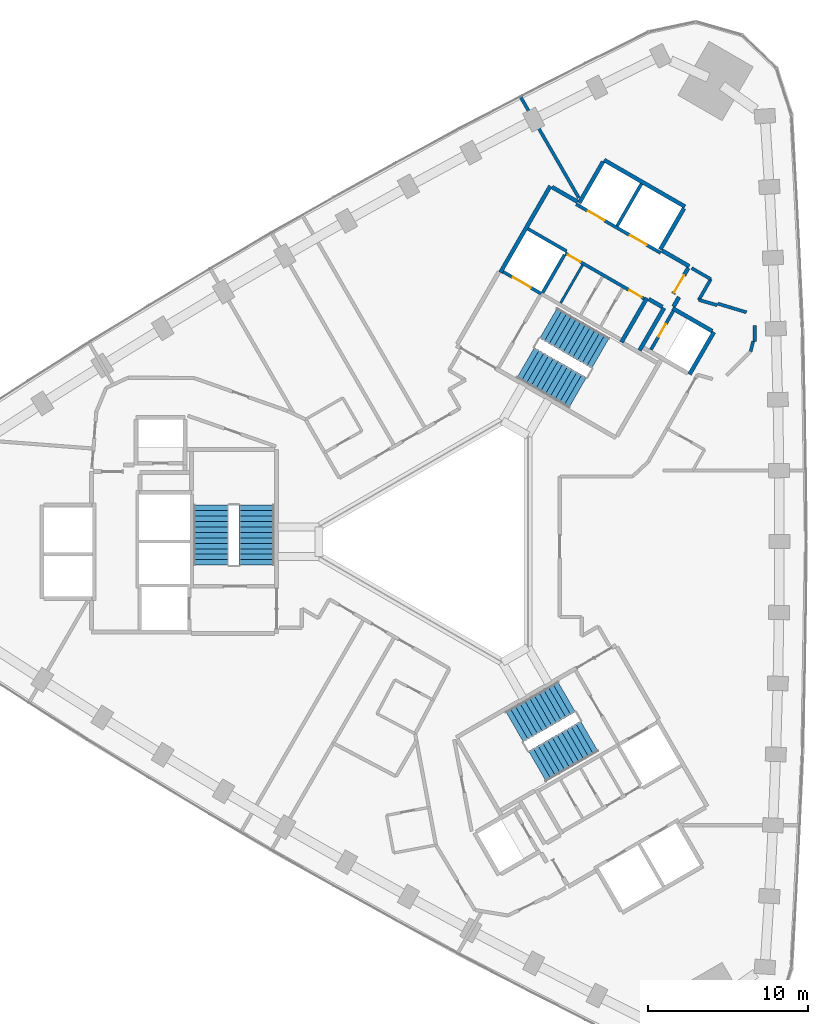
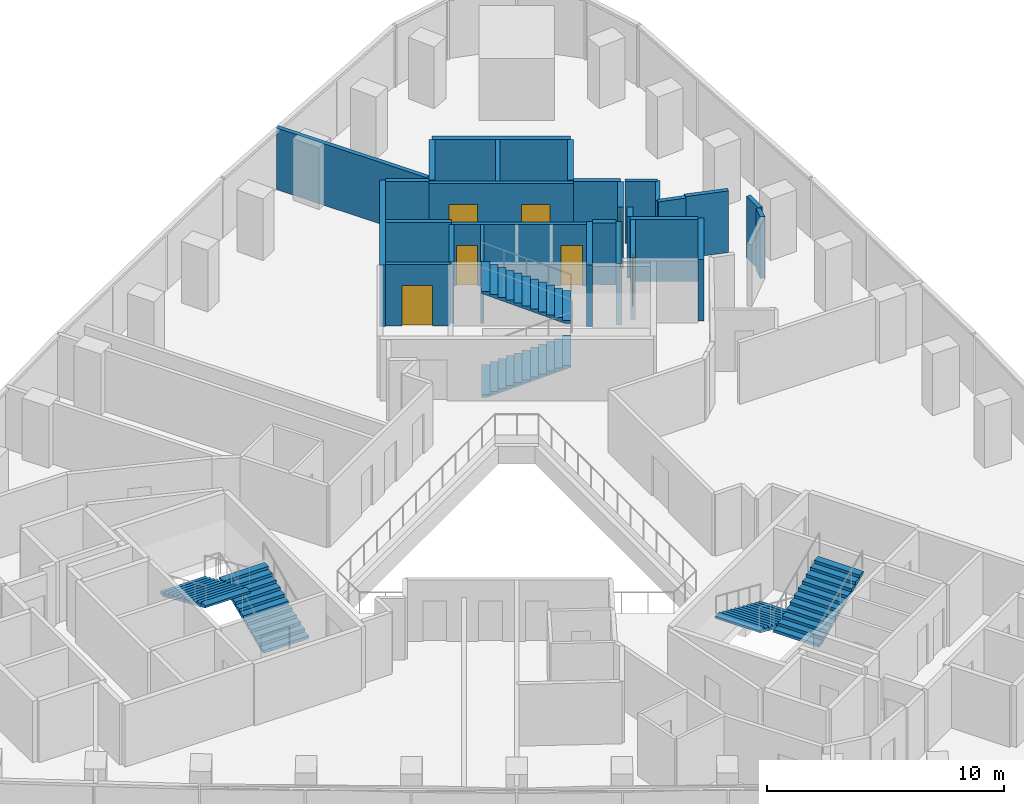
# One storey, part 11 of 12: 28 walls, 7 doors, 6 stair flights, 7 openings, 3 elements without a shape of their own.
"""IFC4 building model written with IfcOpenShell, lengths in metres."""

from ifc_helpers import new_model, si_unit, direction, frame, frame_2d, origin, place, context, subcontext, project, spatial, polyline, rectangle, outline, extrude, material, layer, layer_set, type_object, element, fill, aggregate, save


model = new_model("IFC4")

# Units and contexts
model_context = context("Model", 3, precision=1e-05, world=origin(), true_north=direction((0.0, 1.0)))
body_context = subcontext(model_context, "Body", "Model", "MODEL_VIEW")
ifc_project = project(units=[si_unit("LENGTHUNIT", "METRE"), si_unit("AREAUNIT", "SQUARE_METRE"), si_unit("VOLUMEUNIT", "CUBIC_METRE"), si_unit("PLANEANGLEUNIT", "RADIAN"), si_unit("MASSUNIT", "GRAM", prefix="KILO")], contexts=[model_context])

# Site, building, storey
site_placement = place(None, origin())
site = spatial("IfcSite", under=ifc_project, at=site_placement, CompositionType="ELEMENT")
building_placement = place(site_placement, origin())
building = spatial("IfcBuilding", under=site, at=building_placement, Name="Tamra Quay Hotel Tower", CompositionType="ELEMENT")
storey_placement = place(building_placement, frame((0.0, 0.0, 83.0)))
storey = spatial("IfcBuildingStorey", under=building, at=storey_placement, Name="L19", CompositionType="ELEMENT", Elevation=83.0)

# Wall, openings, doors
ifc_material_1 = material(Name="Concrete M70", Category="concrete")
ifc_layer_1 = layer(ifc_material_1, 0.199951171875)
ifc_layer_set_1 = layer_set([ifc_layer_1], Name="Concrete M70 core wall 200")
wall_type_1 = type_object("IfcWallType", Name="Concrete M70 core wall 200", PredefinedType="SHEAR", material=ifc_layer_set_1)
wall_1_placement = place(storey_placement, frame((13.209716796875, 18.07958984375, 0.0), z_axis=(0.0, 0.0, 1.0), x_axis=(-0.866030299012, 0.499991521122, 0.0)))
wall_1 = element("IfcWall", 1, at=wall_1_placement, inside=storey, type_object=wall_type_1, Name="CW2", PredefinedType="SHEAR", context=body_context, shape_type="SweptSolid", body=[
    extrude(rectangle(XDim=6.10009765625, YDim=0.199951171875, at=frame_2d((3.050048828125, 0.0))), origin(), (0.0, 0.0, 1.0), 3.175048828125),
])
opening_1_placement = place(wall_1_placement, frame((1.0, 0.0, 0.0)))
opening_1 = element("IfcOpeningElement", 2, at=opening_1_placement, cuts=wall_1, Name="Opening LD", PredefinedType="OPENING", context=body_context, shape_type="SweptSolid", body=[
    extrude(rectangle(XDim=1.199951171875, YDim=2.10009765625, at=frame_2d((0.60009765625, 1.050048828125))), frame((0.0, 0.10986328125, 0.0), z_axis=(0.0, -1.0, 0.0), x_axis=(1.0, 0.0, 0.0)), (0.0, 0.0, 1.0), 0.219970703125),
])
opening_2_placement = place(wall_1_placement, frame((4.05029296875, 0.0, 0.0)))
opening_2 = element("IfcOpeningElement", 3, at=opening_2_placement, cuts=wall_1, Name="Opening LD", PredefinedType="OPENING", context=body_context, shape_type="SweptSolid", body=[
    extrude(rectangle(XDim=1.199951171875, YDim=2.10009765625, at=frame_2d((0.60009765625, 1.050048828125))), frame((0.0, 0.10986328125, 0.0), z_axis=(0.0, -1.0, 0.0), x_axis=(1.0, 0.0, 0.0)), (0.0, 0.0, 1.0), 0.219970703125),
])
ifc_material_2 = material(Name="Landing door LD 1200 double door sliding")
door_type_1 = type_object("IfcDoorType", Name="Landing door LD 1200 double door sliding", OperationType="DOUBLE_DOOR_SLIDING", PredefinedType="DOOR", material=ifc_material_2)
door_1_placement = place(opening_1_placement, origin())
door_1 = element("IfcDoor", 4, at=door_1_placement, inside=storey, type_object=door_type_1, Name="LD", OperationType="DOUBLE_DOOR_SLIDING", OverallHeight=2.10009765625, OverallWidth=1.199951171875, PredefinedType="DOOR", context=body_context, shape_type="SweptSolid", body=[
    extrude(rectangle(XDim=1.199951171875, YDim=2.10009765625, at=frame_2d((0.60009765625, 1.050048828125))), frame((0.0, 0.02490234375, 0.0), z_axis=(0.0, -1.0, 0.0), x_axis=(1.0, 0.0, 0.0)), (0.0, 0.0, 1.0), 0.050048828125),
])
fill(opening_1, door_1)
door_2_placement = place(opening_2_placement, origin())
door_2 = element("IfcDoor", 5, at=door_2_placement, inside=storey, type_object=door_type_1, Name="LD", OperationType="DOUBLE_DOOR_SLIDING", OverallHeight=2.10009765625, OverallWidth=1.199951171875, PredefinedType="DOOR", context=body_context, shape_type="SweptSolid", body=[
    extrude(rectangle(XDim=1.199951171875, YDim=2.10009765625, at=frame_2d((0.60009765625, 1.050048828125))), frame((0.0, 0.02490234375, 0.0), z_axis=(0.0, -1.0, 0.0), x_axis=(1.0, 0.0, 0.0)), (0.0, 0.0, 1.0), 0.050048828125),
])
fill(opening_2, door_2)

wall_2_placement = place(storey_placement, frame((12.18505859375, 15.20703125, 0.0), z_axis=(0.0, 0.0, 1.0), x_axis=(-0.866020080793, 0.500009219579, 0.0)))
wall_2 = element("IfcWall", 6, at=wall_2_placement, inside=storey, type_object=wall_type_1, Name="CW2", PredefinedType="SHEAR", context=body_context, shape_type="SweptSolid", body=[
    extrude(rectangle(XDim=5.69921875, YDim=0.199951171875, at=frame_2d((2.849609375, 0.0))), origin(), (0.0, 0.0, 1.0), 3.175048828125),
])
opening_3_placement = place(wall_2_placement, frame((0.174072265625, 0.0, 0.0)))
opening_3 = element("IfcOpeningElement", 7, at=opening_3_placement, cuts=wall_2, Name="Opening D2", PredefinedType="OPENING", context=body_context, shape_type="SweptSolid", body=[
    extrude(rectangle(XDim=0.89990234375, YDim=2.10009765625, at=frame_2d((0.449951171875, 1.050048828125))), frame((0.0, 0.10986328125, 0.0), z_axis=(0.0, -1.0, 0.0), x_axis=(1.0, 0.0, 0.0)), (0.0, 0.0, 1.0), 0.219970703125),
])
opening_4_placement = place(wall_2_placement, frame((4.59912109375, 0.0, 0.0)))
opening_4 = element("IfcOpeningElement", 8, at=opening_4_placement, cuts=wall_2, Name="Opening D2", PredefinedType="OPENING", context=body_context, shape_type="SweptSolid", body=[
    extrude(rectangle(XDim=0.89990234375, YDim=2.10009765625, at=frame_2d((0.449951171875, 1.050048828125))), frame((0.0, 0.10986328125, 0.0), z_axis=(0.0, -1.0, 0.0), x_axis=(1.0, 0.0, 0.0)), (0.0, 0.0, 1.0), 0.219970703125),
])
ifc_material_3 = material(Name="Core door D2 900x2100 LH")
door_type_2 = type_object("IfcDoorType", Name="Core door D2 900x2100 LH", OperationType="NOTDEFINED", PredefinedType="DOOR", material=ifc_material_3)
door_3_placement = place(opening_4_placement, origin())
door_3 = element("IfcDoor", 9, at=door_3_placement, inside=storey, type_object=door_type_2, Name="D2", OperationType="SINGLE_SWING_LEFT", OverallHeight=2.10009765625, OverallWidth=0.89990234375, PredefinedType="DOOR", context=body_context, shape_type="SweptSolid", body=[
    extrude(rectangle(XDim=0.89990234375, YDim=2.10009765625, at=frame_2d((0.449951171875, 1.050048828125))), frame((0.0, 0.02490234375, 0.0), z_axis=(0.0, -1.0, 0.0), x_axis=(1.0, 0.0, 0.0)), (0.0, 0.0, 1.0), 0.050048828125),
])
fill(opening_4, door_3)
ifc_material_4 = material(Name="Core door D2 900x2100 RH")
door_type_3 = type_object("IfcDoorType", Name="Core door D2 900x2100 RH", OperationType="NOTDEFINED", PredefinedType="DOOR", material=ifc_material_4)
door_4_placement = place(opening_3_placement, origin())
door_4 = element("IfcDoor", 10, at=door_4_placement, inside=storey, type_object=door_type_3, Name="D2", OperationType="SINGLE_SWING_RIGHT", OverallHeight=2.10009765625, OverallWidth=0.89990234375, PredefinedType="DOOR", context=body_context, shape_type="SweptSolid", body=[
    extrude(rectangle(XDim=0.89990234375, YDim=2.10009765625, at=frame_2d((0.449951171875, 1.050048828125))), frame((0.0, 0.02490234375, 0.0), z_axis=(0.0, -1.0, 0.0), x_axis=(1.0, 0.0, 0.0)), (0.0, 0.0, 1.0), 0.050048828125),
])
fill(opening_3, door_4)

# Wall
wall_3_placement = place(storey_placement, frame((10.48876953125, 19.76708984375, 0.0), z_axis=(0.0, 0.0, 1.0), x_axis=(0.499946628782, 0.866056215479, 0.0)))
element("IfcWall", 11, at=wall_3_placement, inside=storey, type_object=wall_type_1, Name="CW2", PredefinedType="SHEAR", context=body_context, shape_type="SweptSolid", body=[
    extrude(rectangle(XDim=3.048095703125, YDim=0.199951171875, at=frame_2d((1.52392578125, 0.0))), origin(), (0.0, 0.0, 1.0), 3.175048828125),
])

# Wall, opening, door
wall_4_placement = place(storey_placement, frame((14.0078125, 14.442138671875, 0.0), z_axis=(0.0, 0.0, 1.0), x_axis=(-0.499986818241, -0.866033014143, 0.0)))
wall_4 = element("IfcWall", 12, at=wall_4_placement, inside=storey, type_object=wall_type_1, Name="CW2", PredefinedType="SHEAR", context=body_context, shape_type="SweptSolid", body=[
    extrude(rectangle(XDim=2.7978515625, YDim=0.199951171875, at=frame_2d((1.39892578125, 0.0))), origin(), (0.0, 0.0, 1.0), 3.175048828125),
])
opening_5_placement = place(wall_4_placement, frame((0.948974609375, 0.0, 0.0)))
opening_5 = element("IfcOpeningElement", 13, at=opening_5_placement, cuts=wall_4, Name="Opening D1", PredefinedType="OPENING", context=body_context, shape_type="SweptSolid", body=[
    extrude(rectangle(XDim=0.89990234375, YDim=2.10009765625, at=frame_2d((0.449951171875, 1.050048828125))), frame((0.0, 0.10986328125, 0.0), z_axis=(0.0, -1.0, 0.0), x_axis=(1.0, 0.0, 0.0)), (0.0, 0.0, 1.0), 0.219970703125),
])
ifc_material_5 = material(Name="Core door D1 900x2100 RH")
door_type_4 = type_object("IfcDoorType", Name="Core door D1 900x2100 RH", OperationType="NOTDEFINED", PredefinedType="DOOR", material=ifc_material_5)
door_5_placement = place(opening_5_placement, origin())
door_5 = element("IfcDoor", 14, at=door_5_placement, inside=storey, type_object=door_type_4, Name="D1", OperationType="SINGLE_SWING_RIGHT", OverallHeight=2.10009765625, OverallWidth=0.89990234375, PredefinedType="DOOR", context=body_context, shape_type="SweptSolid", body=[
    extrude(rectangle(XDim=0.89990234375, YDim=2.10009765625, at=frame_2d((0.449951171875, 1.050048828125))), frame((0.0, 0.02490234375, 0.0), z_axis=(0.0, -1.0, 0.0), x_axis=(1.0, 0.0, 0.0)), (0.0, 0.0, 1.0), 0.050048828125),
])
fill(opening_5, door_5)

# Wall
wall_5_placement = place(storey_placement, frame((7.199462890625, 17.969970703125, 0.0), z_axis=(0.0, 0.0, 1.0), x_axis=(-0.499968400327, -0.866043647095, 0.0)))
element("IfcWall", 15, at=wall_5_placement, inside=storey, type_object=wall_type_1, Name="CW2", PredefinedType="SHEAR", context=body_context, shape_type="SweptSolid", body=[
    extrude(rectangle(XDim=2.749755859375, YDim=0.199951171875, at=frame_2d((1.375, 0.0))), origin(), (0.0, 0.0, 1.0), 3.175048828125),
])

# Wall, opening, door
wall_6_placement = place(storey_placement, frame((5.72509765625, 15.530517578125, 0.0), z_axis=(0.0, 0.0, 1.0), x_axis=(-0.866037306777, 0.499979382845, 0.0)))
wall_6 = element("IfcWall", 16, at=wall_6_placement, inside=storey, type_object=wall_type_1, Name="CW2", PredefinedType="SHEAR", context=body_context, shape_type="SweptSolid", body=[
    extrude(rectangle(XDim=2.74169921875, YDim=0.199951171875, at=frame_2d((1.370849609375, 0.0))), origin(), (0.0, 0.0, 1.0), 3.175048828125),
])
opening_6_placement = place(wall_6_placement, frame((0.742919921875, 0.0, 0.0)))
opening_6 = element("IfcOpeningElement", 17, at=opening_6_placement, cuts=wall_6, Name="Opening LD", PredefinedType="OPENING", context=body_context, shape_type="SweptSolid", body=[
    extrude(rectangle(XDim=1.300048828125, YDim=2.10009765625, at=frame_2d((0.64990234375, 1.050048828125))), frame((0.0, 0.10986328125, 0.0), z_axis=(0.0, -1.0, 0.0), x_axis=(1.0, 0.0, 0.0)), (0.0, 0.0, 1.0), 0.219970703125),
])
ifc_material_6 = material(Name="Landing door LD 1300 sliding to left")
door_type_5 = type_object("IfcDoorType", Name="Landing door LD 1300 sliding to left", OperationType="NOTDEFINED", PredefinedType="DOOR", material=ifc_material_6)
door_6_placement = place(opening_6_placement, origin())
door_6 = element("IfcDoor", 18, at=door_6_placement, inside=storey, type_object=door_type_5, Name="LD", OperationType="SLIDING_TO_LEFT", OverallHeight=2.10009765625, OverallWidth=1.300048828125, PredefinedType="DOOR", context=body_context, shape_type="SweptSolid", body=[
    extrude(rectangle(XDim=1.300048828125, YDim=2.10009765625, at=frame_2d((0.64990234375, 1.050048828125))), frame((0.0, 0.02490234375, 0.0), z_axis=(0.0, -1.0, 0.0), x_axis=(1.0, 0.0, 0.0)), (0.0, 0.0, 1.0), 0.050048828125),
])
fill(opening_6, door_6)

# Walls
wall_7_placement = place(storey_placement, frame((4.900634765625, 19.5859375, 0.0), z_axis=(0.0, 0.0, 1.0), x_axis=(0.866022890907, -0.500004352405, 0.0)))
element("IfcWall", 19, at=wall_7_placement, inside=storey, type_object=wall_type_1, Name="CW2", PredefinedType="SHEAR", context=body_context, shape_type="SweptSolid", body=[
    extrude(rectangle(XDim=2.798828125, YDim=0.199951171875, at=frame_2d((1.3994140625, 0.0))), origin(), (0.0, 0.0, 1.0), 3.175048828125),
])
ifc_layer_2 = layer(ifc_material_1, 0.25)
ifc_layer_set_2 = layer_set([ifc_layer_2], Name="Concrete M70 core wall 250")
wall_type_2 = type_object("IfcWallType", Name="Concrete M70 core wall 250", PredefinedType="SHEAR", material=ifc_layer_set_2)
wall_8_placement = place(storey_placement, frame((3.178955078125, 16.856201171875, 0.0), z_axis=(0.0, 0.0, 1.0), x_axis=(0.500004234368, 0.866022959057, 0.0)))
element("IfcWall", 20, at=wall_8_placement, inside=storey, type_object=wall_type_2, Name="CW1", PredefinedType="SHEAR", context=body_context, shape_type="SweptSolid", body=[
    extrude(rectangle(XDim=6.25, YDim=0.25, at=frame_2d((3.125, 0.0))), origin(), (0.0, 0.0, 1.0), 3.175048828125),
])
wall_9_placement = place(storey_placement, frame((9.672607421875, 23.9033203125, 0.0), z_axis=(0.0, 0.0, 1.0), x_axis=(0.86603616409, -0.499981362141, 0.0)))
element("IfcWall", 21, at=wall_9_placement, inside=storey, type_object=wall_type_2, Name="CW1", PredefinedType="SHEAR", context=body_context, shape_type="SweptSolid", body=[
    extrude(rectangle(XDim=5.849853515625, YDim=0.25, at=frame_2d((2.9248046875, 0.0))), origin(), (0.0, 0.0, 1.0), 3.175048828125),
])
wall_10_placement = place(storey_placement, frame((12.356689453125, 15.25244140625, 0.0), z_axis=(0.0, 0.0, 1.0), x_axis=(-0.500028443584, -0.866008981251, 0.0)))
element("IfcWall", 22, at=wall_10_placement, inside=storey, type_object=wall_type_2, Name="CW1", PredefinedType="SHEAR", context=body_context, shape_type="SweptSolid", body=[
    extrude(rectangle(XDim=3.199951171875, YDim=0.25, at=frame_2d((1.60009765625, 0.0))), origin(), (0.0, 0.0, 1.0), 3.175048828125),
])
for number, where, z_axis, x_axis, name in (
    (23, (8.12255859375, 21.21875, 0.0), (0.0, 0.0, 1.0), (0.499987686533, 0.866032512851, 0.0), "CW1"),
    (24, (14.67626953125, 20.869873046875, 0.0), (0.0, 0.0, 1.0), (-0.499987686533, -0.866032512851, 0.0), "CW1"),
):
    element("IfcWall", number, at=place(storey_placement, frame(where, z_axis=z_axis, x_axis=x_axis)), inside=storey, type_object=wall_type_2, Name=name, PredefinedType="SHEAR", context=body_context, shape_type="SweptSolid", body=[
        extrude(rectangle(XDim=2.974609375, YDim=0.25, at=frame_2d((1.4873046875, 0.0))), origin(), (0.0, 0.0, 1.0), 3.175048828125),
    ])
wall_11_placement = place(storey_placement, frame((16.552001953125, 13.118896484375, 0.0), z_axis=(0.0, 0.0, 1.0), x_axis=(-0.499978833458, -0.866037623948, 0.0)))
element("IfcWall", 25, at=wall_11_placement, inside=storey, type_object=wall_type_2, Name="CW1", PredefinedType="SHEAR", context=body_context, shape_type="SweptSolid", body=[
    extrude(rectangle(XDim=3.050048828125, YDim=0.25, at=frame_2d((1.52490234375, 0.0))), origin(), (0.0, 0.0, 1.0), 3.175048828125),
])
wall_12_placement = place(storey_placement, frame((13.962646484375, 14.61376953125, 0.0), z_axis=(0.0, 0.0, 1.0), x_axis=(0.866042235819, -0.499970844928, 0.0)))
element("IfcWall", 26, at=wall_12_placement, inside=storey, type_object=wall_type_2, Name="CW1", PredefinedType="SHEAR", context=body_context, shape_type="SweptSolid", body=[
    extrude(rectangle(XDim=2.864501953125, YDim=0.25, at=frame_2d((1.43212890625, 0.0))), origin(), (0.0, 0.0, 1.0), 3.175048828125),
])
wall_13_placement = place(storey_placement, frame((11.887939453125, 11.960693359375, 0.0), z_axis=(0.0, 0.0, 1.0), x_axis=(0.500003324108, 0.866023484601, 0.0)))
element("IfcWall", 27, at=wall_13_placement, inside=storey, type_object=wall_type_2, Name="CW1", PredefinedType="SHEAR", context=body_context, shape_type="SweptSolid", body=[
    extrude(rectangle(XDim=3.0849609375, YDim=0.25, at=frame_2d((1.54248046875, 0.0))), origin(), (0.0, 0.0, 1.0), 3.175048828125),
])
wall_14_placement = place(storey_placement, frame((13.29736328125, 18.23095703125, 0.0), z_axis=(0.0, 0.0, 1.0), x_axis=(0.866043531843, -0.499968599967, 0.0)))
element("IfcWall", 28, at=wall_14_placement, inside=storey, type_object=wall_type_2, Name="CW1", PredefinedType="SHEAR", context=body_context, shape_type="SweptSolid", body=[
    extrude(rectangle(XDim=1.974853515625, YDim=0.25, at=frame_2d((0.9873046875, 0.0))), origin(), (0.0, 0.0, 1.0), 3.175048828125),
])
wall_15_placement = place(storey_placement, frame((6.41259765625, 22.2060546875, 0.0), z_axis=(0.0, 0.0, 1.0), x_axis=(0.866016279763, -0.500015802937, 0.0)))
element("IfcWall", 29, at=wall_15_placement, inside=storey, type_object=wall_type_2, Name="CW1", PredefinedType="SHEAR", context=body_context, shape_type="SweptSolid", body=[
    extrude(rectangle(XDim=1.84912109375, YDim=0.25, at=frame_2d((0.924560546875, 0.0))), origin(), (0.0, 0.0, 1.0), 3.175048828125),
])

# Wall, opening, door
wall_16_placement = place(storey_placement, frame((14.94482421875, 17.13525390625, 0.0), z_axis=(0.0, 0.0, 1.0), x_axis=(-0.499983108224, -0.866035156036, 0.0)))
wall_16 = element("IfcWall", 30, at=wall_16_placement, inside=storey, type_object=wall_type_2, Name="CW1", PredefinedType="SHEAR", context=body_context, shape_type="SweptSolid", body=[
    extrude(rectangle(XDim=1.86474609375, YDim=0.25, at=frame_2d((0.932373046875, 0.0))), origin(), (0.0, 0.0, 1.0), 3.175048828125),
])
opening_7_placement = place(wall_16_placement, frame((0.53466796875, 0.0, 0.0)))
opening_7 = element("IfcOpeningElement", 31, at=opening_7_placement, cuts=wall_16, Name="Opening FD3", PredefinedType="OPENING", context=body_context, shape_type="SweptSolid", body=[
    extrude(rectangle(XDim=1.25, YDim=2.10009765625, at=frame_2d((0.625, 1.050048828125))), frame((0.0, 0.135009765625, 0.0), z_axis=(0.0, -1.0, 0.0), x_axis=(1.0, 0.0, 0.0)), (0.0, 0.0, 1.0), 0.27001953125),
])
ifc_material_7 = material(Name="Core door FD3 1250x2100 LH")
door_type_6 = type_object("IfcDoorType", Name="Core door FD3 1250x2100 LH", OperationType="NOTDEFINED", PredefinedType="DOOR", material=ifc_material_7)
door_7_placement = place(opening_7_placement, origin())
door_7 = element("IfcDoor", 32, at=door_7_placement, inside=storey, type_object=door_type_6, Name="FD3", OperationType="SINGLE_SWING_LEFT", OverallHeight=2.10009765625, OverallWidth=1.25, PredefinedType="DOOR", context=body_context, shape_type="SweptSolid", body=[
    extrude(rectangle(XDim=1.25, YDim=2.10009765625, at=frame_2d((0.625, 1.050048828125))), frame((0.0, 0.02490234375, 0.0), z_axis=(0.0, -1.0, 0.0), x_axis=(1.0, 0.0, 0.0)), (0.0, 0.0, 1.0), 0.050048828125),
])
fill(opening_7, door_7)

# Walls
wall_17_placement = place(storey_placement, frame((13.322021484375, 14.695068359375, 0.0), z_axis=(0.0, 0.0, 1.0), x_axis=(-0.866017078145, 0.500014420154, 0.0)))
element("IfcWall", 33, at=wall_17_placement, inside=storey, type_object=wall_type_2, Name="CW1", PredefinedType="SHEAR", context=body_context, shape_type="SweptSolid", body=[
    extrude(rectangle(XDim=0.9892578125, YDim=0.25, at=frame_2d((0.49462890625, 0.0))), origin(), (0.0, 0.0, 1.0), 3.175048828125),
])
wall_18_placement = place(storey_placement, frame((14.36767578125, 15.3154296875, 0.0), z_axis=(0.0, 0.0, 1.0), x_axis=(-0.499897359611, -0.866084655132, 0.0)))
element("IfcWall", 34, at=wall_18_placement, inside=storey, type_object=wall_type_2, Name="CW1", PredefinedType="SHEAR", context=body_context, shape_type="SweptSolid", body=[
    extrude(rectangle(XDim=0.684814453125, YDim=0.25, at=frame_2d((0.34228515625, 0.0))), origin(), (0.0, 0.0, 1.0), 3.175048828125),
])
ifc_material_8 = material(Name="Blockwork", Category="masonry")
ifc_layer_3 = layer(ifc_material_8, 0.14990234375)
ifc_layer_set_3 = layer_set([ifc_layer_3], Name="Core partition block 150")
wall_type_3 = type_object("IfcWallType", Name="Core partition block 150", PredefinedType="PARTITIONING", material=ifc_layer_set_3)
wall_19_placement = place(storey_placement, frame((6.95068359375, 14.939208984375, 0.0), z_axis=(0.0, 0.0, 1.0), x_axis=(0.50002746344, 0.86600954718, 0.0)))
element("IfcWall", 35, at=wall_19_placement, inside=storey, type_object=wall_type_3, Name="CP1", PredefinedType="PARTITIONING", context=body_context, shape_type="SweptSolid", body=[
    extrude(rectangle(XDim=2.748291015625, YDim=0.14990234375, at=frame_2d((1.3740234375, 0.0))), origin(), (0.0, 0.0, 1.0), 3.175048828125),
])
ifc_material_9 = material(Name="Partition corridor wall")
ifc_layer_4 = layer(ifc_material_9, 0.199951171875)
ifc_layer_set_4 = layer_set([ifc_layer_4], Name="Partition corridor wall")
wall_type_4 = type_object("IfcWallType", Name="Partition corridor wall", PredefinedType="PARTITIONING", material=ifc_layer_set_4)
wall_20_placement = place(storey_placement, frame((15.155517578125, 17.130126953125, 0.0), z_axis=(0.0, 0.0, 1.0), x_axis=(0.865755062894, -0.500467952093, 0.0)))
element("IfcWall", 36, at=wall_20_placement, inside=storey, type_object=wall_type_4, Name="W-C", PredefinedType="PARTITIONING", context=body_context, shape_type="SweptSolid", body=[
    extrude(rectangle(XDim=1.388916015625, YDim=0.199951171875, at=frame_2d((0.6943359375, 0.0))), origin(), (0.0, 0.0, 1.0), 3.175048828125),
])
wall_21_placement = place(storey_placement, frame((15.60888671875, 15.135986328125, 0.0), z_axis=(0.0, 0.0, 1.0), x_axis=(0.499501622561, 0.866312950993, 0.0)))
element("IfcWall", 37, at=wall_21_placement, inside=storey, type_object=wall_type_4, Name="W-C", PredefinedType="PARTITIONING", context=body_context, shape_type="SweptSolid", body=[
    extrude(rectangle(XDim=1.49951171875, YDim=0.199951171875, at=frame_2d((0.749755859375, 0.0))), origin(), (0.0, 0.0, 1.0), 3.175048828125),
])
wall_22_placement = place(storey_placement, frame((15.60888671875, 15.135986328125, 0.0), z_axis=(0.0, 0.0, 1.0), x_axis=(0.961662011825, -0.274237442763, 0.0)))
element("IfcWall", 38, at=wall_22_placement, inside=storey, type_object=wall_type_4, Name="W-C", PredefinedType="PARTITIONING", context=body_context, shape_type="SweptSolid", body=[
    extrude(rectangle(XDim=1.199951171875, YDim=0.199951171875, at=frame_2d((0.60009765625, 0.0))), origin(), (0.0, 0.0, 1.0), 3.175048828125),
])
wall_23_placement = place(storey_placement, frame((16.79052734375, 14.903076171875, 0.0), z_axis=(0.0, 0.0, 1.0), x_axis=(0.957543978079, -0.288287235312, 0.0)))
element("IfcWall", 39, at=wall_23_placement, inside=storey, type_object=wall_type_4, Name="W-C", PredefinedType="PARTITIONING", context=body_context, shape_type="SweptSolid", body=[
    extrude(rectangle(XDim=1.883544921875, YDim=0.199951171875, at=frame_2d((0.94189453125, 0.0))), origin(), (0.0, 0.0, 1.0), 3.175048828125),
])
wall_24_placement = place(storey_placement, frame((19.114990234375, 12.5439453125, 0.0), z_axis=(0.0, 0.0, 1.0), x_axis=(0.0, 1.0, 0.0)))
element("IfcWall", 40, at=wall_24_placement, inside=storey, type_object=wall_type_4, Name="W-C", PredefinedType="PARTITIONING", context=body_context, shape_type="SweptSolid", body=[
    extrude(rectangle(XDim=1.0, YDim=0.199951171875, at=frame_2d((0.5, 0.0))), origin(), (0.0, 0.0, 1.0), 3.175048828125),
])
wall_25_placement = place(storey_placement, frame((18.85205078125, 11.906982421875, 0.0), z_axis=(0.0, 0.0, 1.0), x_axis=(0.247687348035, 0.968840016527, 0.0)))
element("IfcWall", 41, at=wall_25_placement, inside=storey, type_object=wall_type_4, Name="W-C", PredefinedType="PARTITIONING", context=body_context, shape_type="SweptSolid", body=[
    extrude(rectangle(XDim=0.657470703125, YDim=0.199951171875, at=frame_2d((0.32861328125, 0.0))), origin(), (0.0, 0.0, 1.0), 3.175048828125),
])
ifc_material_10 = material(Name="Partition party wall")
ifc_layer_5 = layer(ifc_material_10, 0.199951171875)
ifc_layer_set_5 = layer_set([ifc_layer_5], Name="Partition party wall")
wall_type_5 = type_object("IfcWallType", Name="Partition party wall", PredefinedType="PARTITIONING", material=ifc_layer_set_5)
wall_26_placement = place(storey_placement, frame((4.43017578125, 27.87255859375, 0.0), z_axis=(0.0, 0.0, 1.0), x_axis=(0.499959183527, -0.866048967903, 0.0)))
element("IfcWall", 42, at=wall_26_placement, inside=storey, type_object=wall_type_5, Name="W-P", PredefinedType="PARTITIONING", context=body_context, shape_type="SweptSolid", body=[
    extrude(rectangle(XDim=7.3203125, YDim=0.199951171875, at=frame_2d((3.66015625, 0.0))), origin(), (0.0, 0.0, 1.0), 3.175048828125),
])

# Stair, stair flights
ifc_material_11 = material(Name="Exit stair 2200 24 risers 150.0 going 342")
stair_type = type_object("IfcStairType", Name="Exit stair 2200 24 risers 150.0 going 342", PredefinedType="HALF_TURN_STAIR", material=ifc_material_11)
stair_1_placement = place(storey_placement, origin())
stair_1 = element("IfcStair", 43, at=stair_1_placement, inside=storey, type_object=stair_type, Name="L19 Exit stair ST3", PredefinedType="HALF_TURN_STAIR")
ifc_material_12 = material(Name="Exit stair flight 2200 12 risers 150.0")
stair_flight_type = type_object("IfcStairFlightType", Name="Exit stair flight 2200 12 risers 150.0", PredefinedType="STRAIGHT", material=ifc_material_12)
stair_flight_1_placement = place(storey_placement, frame((-12.082275390625, -1.47998046875, 0.0), z_axis=(0.0, 0.0, 1.0), x_axis=(0.0, 1.0, 0.0)))
stair_flight_1 = element("IfcStairFlight", 44, at=stair_flight_1_placement, type_object=stair_flight_type, Name="ST3 flight 1", NumberOfRisers=12, NumberOfTreads=11, PredefinedType="STRAIGHT", RiserHeight=0.15, TreadLength=0.342, context=body_context, shape_type="SweptSolid", body=[
    extrude(outline(polyline([(0.0, 0.0), (0.0, 0.14990234375), (0.342041015625, 0.14990234375), (0.342041015625, 0.300048828125), (0.68408203125, 0.300048828125), (0.68408203125, 0.449951171875), (1.02587890625, 0.449951171875), (1.02587890625, 0.60009765625), (1.367919921875, 0.60009765625), (1.367919921875, 0.75), (1.7099609375, 0.75), (1.7099609375, 0.89990234375), (2.052001953125, 0.89990234375), (2.052001953125, 1.050048828125), (2.39404296875, 1.050048828125), (2.39404296875, 1.199951171875), (2.736083984375, 1.199951171875), (2.736083984375, 1.35009765625), (3.077880859375, 1.35009765625), (3.077880859375, 1.5), (3.419921875, 1.5), (3.419921875, 1.64990234375), (3.761962890625, 1.64990234375), (3.761962890625, 1.800048828125), (3.761962890625, 1.540771484375), (0.249267578125, 0.0), (0.0, 0.0)])), frame((0.0, 1.10009765625, 0.0), z_axis=(0.0, -1.0, 0.0), x_axis=(1.0, 0.0, 0.0)), (0.0, 0.0, 1.0), 2.199951171875),
])
stair_flight_2_placement = place(storey_placement, frame((-14.94140625, 2.281982421875, 1.800048828125), z_axis=(0.0, 0.0, 1.0), x_axis=(0.0, -1.0, 0.0)))
stair_flight_2 = element("IfcStairFlight", 45, at=stair_flight_2_placement, type_object=stair_flight_type, Name="ST3 flight 2", NumberOfRisers=12, NumberOfTreads=11, PredefinedType="STRAIGHT", RiserHeight=0.15, TreadLength=0.342, context=body_context, shape_type="SweptSolid", body=[
    extrude(outline(polyline([(0.0, 0.0), (0.0, 0.14990234375), (0.342041015625, 0.14990234375), (0.342041015625, 0.300048828125), (0.68408203125, 0.300048828125), (0.68408203125, 0.449951171875), (1.02587890625, 0.449951171875), (1.02587890625, 0.60009765625), (1.367919921875, 0.60009765625), (1.367919921875, 0.75), (1.7099609375, 0.75), (1.7099609375, 0.89990234375), (2.052001953125, 0.89990234375), (2.052001953125, 1.050048828125), (2.39404296875, 1.050048828125), (2.39404296875, 1.199951171875), (2.736083984375, 1.199951171875), (2.736083984375, 1.35009765625), (3.077880859375, 1.35009765625), (3.077880859375, 1.5), (3.419921875, 1.5), (3.419921875, 1.64990234375), (3.761962890625, 1.64990234375), (3.761962890625, 1.800048828125), (3.761962890625, 1.540771484375), (0.249267578125, 0.0), (0.0, 0.0)])), frame((0.0, 1.10009765625, 0.0), z_axis=(0.0, -1.0, 0.0), x_axis=(1.0, 0.0, 0.0)), (0.0, 0.0, 1.0), 2.199951171875),
])
aggregate(stair_1, [stair_flight_1, stair_flight_2])

stair_2_placement = place(storey_placement, origin())
stair_2 = element("IfcStair", 46, at=stair_2_placement, inside=storey, type_object=stair_type, Name="L19 Exit stair ST1", PredefinedType="HALF_TURN_STAIR")
stair_flight_3_placement = place(storey_placement, frame((4.75927734375, 11.20361328125, 0.0), z_axis=(0.0, 0.0, 1.0), x_axis=(0.866025403784, -0.5, 0.0)))
stair_flight_3 = element("IfcStairFlight", 47, at=stair_flight_3_placement, type_object=stair_flight_type, Name="ST1 flight 1", NumberOfRisers=12, NumberOfTreads=11, PredefinedType="STRAIGHT", RiserHeight=0.15, TreadLength=0.342, context=body_context, shape_type="SweptSolid", body=[
    extrude(outline(polyline([(0.0, 0.0), (0.0, 0.14990234375), (0.342041015625, 0.14990234375), (0.342041015625, 0.300048828125), (0.68408203125, 0.300048828125), (0.68408203125, 0.449951171875), (1.02587890625, 0.449951171875), (1.02587890625, 0.60009765625), (1.367919921875, 0.60009765625), (1.367919921875, 0.75), (1.7099609375, 0.75), (1.7099609375, 0.89990234375), (2.052001953125, 0.89990234375), (2.052001953125, 1.050048828125), (2.39404296875, 1.050048828125), (2.39404296875, 1.199951171875), (2.736083984375, 1.199951171875), (2.736083984375, 1.35009765625), (3.077880859375, 1.35009765625), (3.077880859375, 1.5), (3.419921875, 1.5), (3.419921875, 1.64990234375), (3.761962890625, 1.64990234375), (3.761962890625, 1.800048828125), (3.761962890625, 1.540771484375), (0.249267578125, 0.0), (0.0, 0.0)])), frame((0.0, 1.10009765625, 0.0), z_axis=(0.0, -1.0, 0.0), x_axis=(1.0, 0.0, 0.0)), (0.0, 0.0, 1.0), 2.199951171875),
])
stair_flight_4_placement = place(storey_placement, frame((9.44677734375, 11.798583984375, 1.800048828125), z_axis=(0.0, 0.0, 1.0), x_axis=(-0.866025403784, 0.5, 0.0)))
stair_flight_4 = element("IfcStairFlight", 48, at=stair_flight_4_placement, type_object=stair_flight_type, Name="ST1 flight 2", NumberOfRisers=12, NumberOfTreads=11, PredefinedType="STRAIGHT", RiserHeight=0.15, TreadLength=0.342, context=body_context, shape_type="SweptSolid", body=[
    extrude(outline(polyline([(0.0, 0.0), (0.0, 0.14990234375), (0.342041015625, 0.14990234375), (0.342041015625, 0.300048828125), (0.68408203125, 0.300048828125), (0.68408203125, 0.449951171875), (1.02587890625, 0.449951171875), (1.02587890625, 0.60009765625), (1.367919921875, 0.60009765625), (1.367919921875, 0.75), (1.7099609375, 0.75), (1.7099609375, 0.89990234375), (2.052001953125, 0.89990234375), (2.052001953125, 1.050048828125), (2.39404296875, 1.050048828125), (2.39404296875, 1.199951171875), (2.736083984375, 1.199951171875), (2.736083984375, 1.35009765625), (3.077880859375, 1.35009765625), (3.077880859375, 1.5), (3.419921875, 1.5), (3.419921875, 1.64990234375), (3.761962890625, 1.64990234375), (3.761962890625, 1.800048828125), (3.761962890625, 1.540771484375), (0.249267578125, 0.0), (0.0, 0.0)])), frame((0.0, 1.10009765625, 0.0), z_axis=(0.0, -1.0, 0.0), x_axis=(1.0, 0.0, 0.0)), (0.0, 0.0, 1.0), 2.199951171875),
])
aggregate(stair_2, [stair_flight_3, stair_flight_4])

stair_3_placement = place(storey_placement, origin())
stair_3 = element("IfcStair", 49, at=stair_3_placement, inside=storey, type_object=stair_type, Name="L19 Exit stair ST2", PredefinedType="HALF_TURN_STAIR")
stair_flight_5_placement = place(storey_placement, frame((7.322998046875, -9.7236328125, 0.0), z_axis=(0.0, 0.0, 1.0), x_axis=(-0.866025403784, -0.5, 0.0)))
stair_flight_5 = element("IfcStairFlight", 50, at=stair_flight_5_placement, type_object=stair_flight_type, Name="ST2 flight 1", NumberOfRisers=12, NumberOfTreads=11, PredefinedType="STRAIGHT", RiserHeight=0.15, TreadLength=0.342, context=body_context, shape_type="SweptSolid", body=[
    extrude(outline(polyline([(0.0, 0.0), (0.0, 0.14990234375), (0.342041015625, 0.14990234375), (0.342041015625, 0.300048828125), (0.68408203125, 0.300048828125), (0.68408203125, 0.449951171875), (1.02587890625, 0.449951171875), (1.02587890625, 0.60009765625), (1.367919921875, 0.60009765625), (1.367919921875, 0.75), (1.7099609375, 0.75), (1.7099609375, 0.89990234375), (2.052001953125, 0.89990234375), (2.052001953125, 1.050048828125), (2.39404296875, 1.050048828125), (2.39404296875, 1.199951171875), (2.736083984375, 1.199951171875), (2.736083984375, 1.35009765625), (3.077880859375, 1.35009765625), (3.077880859375, 1.5), (3.419921875, 1.5), (3.419921875, 1.64990234375), (3.761962890625, 1.64990234375), (3.761962890625, 1.800048828125), (3.761962890625, 1.540771484375), (0.249267578125, 0.0), (0.0, 0.0)])), frame((0.0, 1.10009765625, 0.0), z_axis=(0.0, -1.0, 0.0), x_axis=(1.0, 0.0, 0.0)), (0.0, 0.0, 1.0), 2.199951171875),
])
stair_flight_6_placement = place(storey_placement, frame((5.494384765625, -14.08056640625, 1.800048828125), z_axis=(0.0, 0.0, 1.0), x_axis=(0.866025403784, 0.5, 0.0)))
stair_flight_6 = element("IfcStairFlight", 51, at=stair_flight_6_placement, type_object=stair_flight_type, Name="ST2 flight 2", NumberOfRisers=12, NumberOfTreads=11, PredefinedType="STRAIGHT", RiserHeight=0.15, TreadLength=0.342, context=body_context, shape_type="SweptSolid", body=[
    extrude(outline(polyline([(0.0, 0.0), (0.0, 0.14990234375), (0.342041015625, 0.14990234375), (0.342041015625, 0.300048828125), (0.68408203125, 0.300048828125), (0.68408203125, 0.449951171875), (1.02587890625, 0.449951171875), (1.02587890625, 0.60009765625), (1.367919921875, 0.60009765625), (1.367919921875, 0.75), (1.7099609375, 0.75), (1.7099609375, 0.89990234375), (2.052001953125, 0.89990234375), (2.052001953125, 1.050048828125), (2.39404296875, 1.050048828125), (2.39404296875, 1.199951171875), (2.736083984375, 1.199951171875), (2.736083984375, 1.35009765625), (3.077880859375, 1.35009765625), (3.077880859375, 1.5), (3.419921875, 1.5), (3.419921875, 1.64990234375), (3.761962890625, 1.64990234375), (3.761962890625, 1.800048828125), (3.761962890625, 1.540771484375), (0.249267578125, 0.0), (0.0, 0.0)])), frame((0.0, 1.10009765625, 0.0), z_axis=(0.0, -1.0, 0.0), x_axis=(1.0, 0.0, 0.0)), (0.0, 0.0, 1.0), 2.199951171875),
])
aggregate(stair_3, [stair_flight_5, stair_flight_6])

save(model, "model.ifc")
